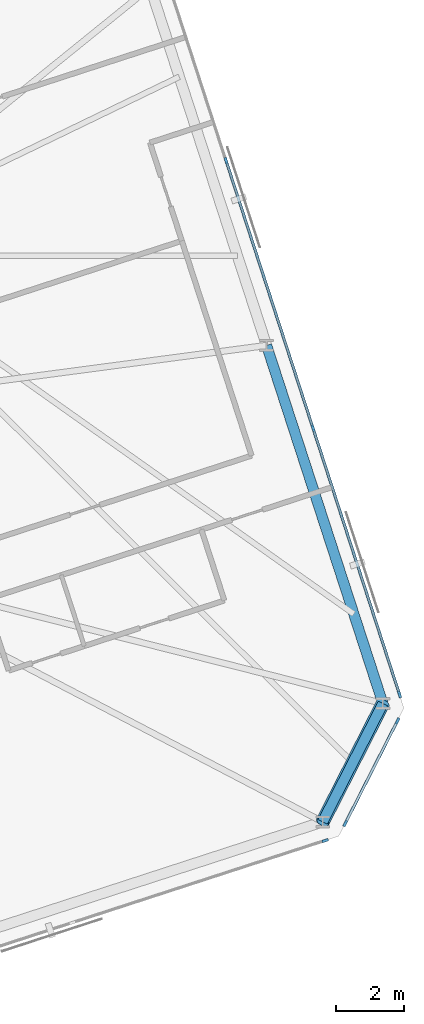
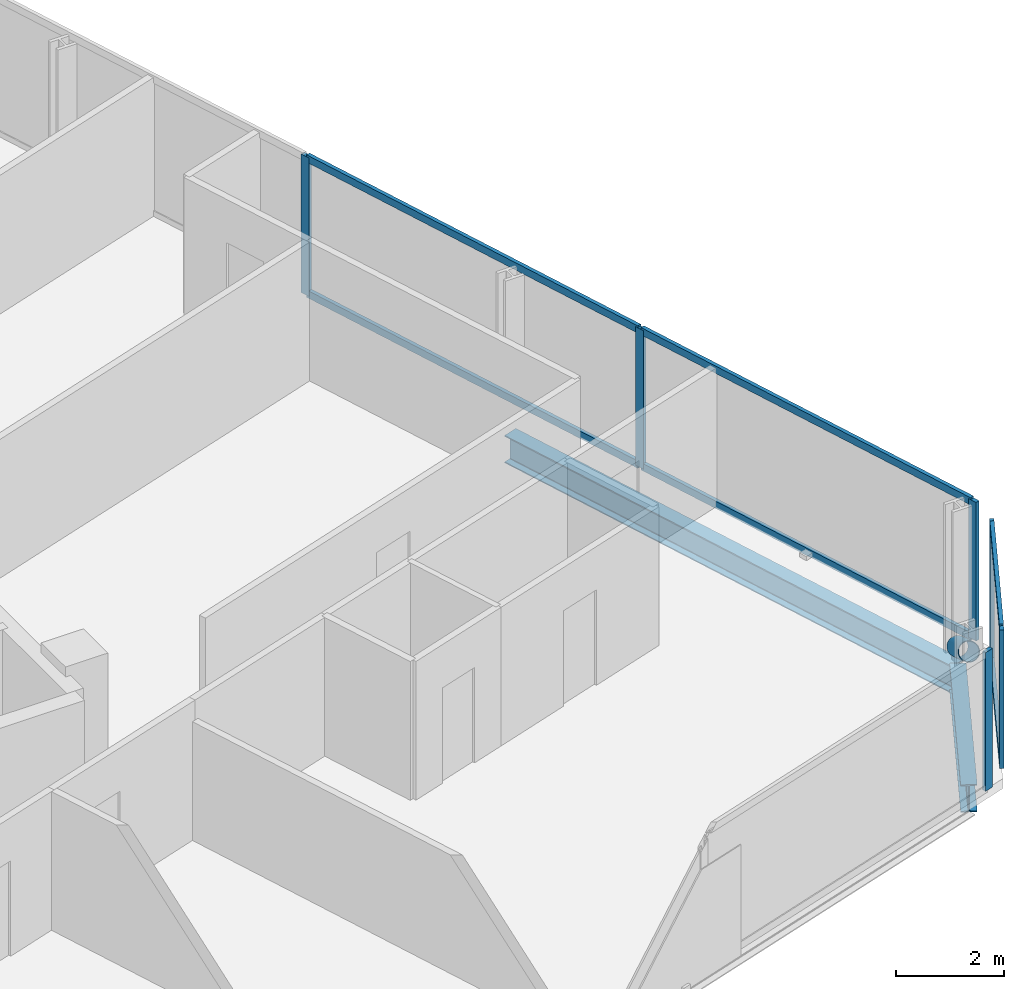
# One storey, part 11 of 19: 13 members, 2 beams, 3 elements without a shape of their own.
"""IFC4 building model written with IfcOpenShell, lengths in metres."""

from ifc_helpers import new_model, si_unit, direction, frame, origin, origin_2d, place, context, subcontext, project, spatial, rectangle, hollow_circle, i_section, extrude, material, material_profile, profile_set, type_object, element, aggregate, save


model = new_model("IFC4")

# Units and contexts
model_context = context("Model", 3, precision=1e-05, world=origin(), true_north=direction((0.0, 1.0)))
body_context = subcontext(model_context, "Body", "Model", "MODEL_VIEW")
ifc_project = project(units=[si_unit("LENGTHUNIT", "METRE"), si_unit("AREAUNIT", "SQUARE_METRE"), si_unit("VOLUMEUNIT", "CUBIC_METRE"), si_unit("PLANEANGLEUNIT", "RADIAN"), si_unit("MASSUNIT", "GRAM", prefix="KILO")], contexts=[model_context])

# Site, building, storey
site_placement = place(None, origin())
site = spatial("IfcSite", under=ifc_project, at=site_placement, CompositionType="ELEMENT")
building_placement = place(site_placement, origin())
building = spatial("IfcBuilding", under=site, at=building_placement, Name="Menara Jurai Vektor", CompositionType="ELEMENT")
storey_placement = place(building_placement, frame((0.0, 0.0, 214.25)))
storey = spatial("IfcBuildingStorey", under=building, at=storey_placement, Name="L56", CompositionType="ELEMENT", Elevation=214.25)

# Curtain wall, member
ifc_material_1 = material(Name="Anodised Pale Aluminium & Low-E Double Glazing", Category="aluminium")
curtain_wall_type = type_object("IfcCurtainWallType", Name="CW-BLK4", PredefinedType="NOTDEFINED", material=ifc_material_1)
curtain_wall_1_placement = place(storey_placement, origin())
curtain_wall_1 = element("IfcCurtainWall", 1, at=curtain_wall_1_placement, inside=storey, type_object=curtain_wall_type, Name="Unitised Curtain Wall L56 F01", PredefinedType="NOTDEFINED")
ifc_material_2 = material(Name="Anodised Pale Aluminium Mullion", Category="aluminium")
ifc_material_profile_1 = material_profile(ifc_material_2, rectangle(XDim=0.080078125, YDim=0.18994140625, at=origin_2d()), Name="ALU MUL 80x190")
ifc_profile_set_1 = profile_set([ifc_material_profile_1], Name="Anodised Pale Aluminium Mullion")
member_type_1 = type_object("IfcMemberType", Name="CW-BLK4-MUL", PredefinedType="MULLION", material=ifc_profile_set_1)
member_1_placement = place(storey_placement, frame((29.810546875, -12.698486328125, 0.0), z_axis=(0.0, 0.0, 1.0), x_axis=(-0.309017344167, 0.951056402641, 0.0)))
member_1 = element("IfcMember", 2, at=member_1_placement, type_object=member_type_1, Name="CW-04 mullion 8", PredefinedType="MULLION", context=body_context, shape_type="SweptSolid", body=[
    extrude(rectangle(XDim=0.080078125, YDim=0.18994140625, at=origin_2d()), origin(), (0.0, 0.0, 1.0), 3.125),
])
aggregate(curtain_wall_1, [member_1])

# Curtain wall, members
curtain_wall_2_placement = place(storey_placement, origin())
curtain_wall_2 = element("IfcCurtainWall", 3, at=curtain_wall_2_placement, inside=storey, type_object=curtain_wall_type, Name="Unitised Curtain Wall L56 F02", PredefinedType="NOTDEFINED")
member_2_placement = place(storey_placement, frame((30.400634765625, -12.194580078125, 0.0), z_axis=(0.0, 0.0, 1.0), x_axis=(-0.89100750243, 0.453988579828, 0.0)))
member_2 = element("IfcMember", 4, at=member_2_placement, type_object=member_type_1, Name="CW-04 mullion 1", PredefinedType="MULLION", context=body_context, shape_type="SweptSolid", body=[
    extrude(rectangle(XDim=0.080078125, YDim=0.18994140625, at=origin_2d()), origin(), (0.0, 0.0, 1.0), 3.125),
])
member_3_placement = place(storey_placement, frame((31.9453125, -9.16259765625, 0.0), z_axis=(0.0, 0.0, 1.0), x_axis=(-0.89100750243, 0.453988579828, 0.0)))
member_3 = element("IfcMember", 5, at=member_3_placement, type_object=member_type_1, Name="CW-04 mullion 2", PredefinedType="MULLION", context=body_context, shape_type="SweptSolid", body=[
    extrude(rectangle(XDim=0.080078125, YDim=0.18994140625, at=origin_2d()), origin(), (0.0, 0.0, 1.0), 3.125),
])

curtain_wall_3_placement = place(storey_placement, origin())
curtain_wall_3 = element("IfcCurtainWall", 6, at=curtain_wall_3_placement, inside=storey, type_object=curtain_wall_type, Name="Unitised Curtain Wall L56 F03", PredefinedType="NOTDEFINED")
member_4_placement = place(storey_placement, frame((32.00634765625, -8.388916015625, 0.0), z_axis=(0.0, 0.0, 1.0), x_axis=(-0.95105668295, -0.309016481464, 0.0)))
member_4 = element("IfcMember", 7, at=member_4_placement, type_object=member_type_1, Name="CW-04 mullion 1", PredefinedType="MULLION", context=body_context, shape_type="SweptSolid", body=[
    extrude(rectangle(XDim=0.080078125, YDim=0.18994140625, at=origin_2d()), origin(), (0.0, 0.0, 1.0), 3.125),
])
member_5_placement = place(storey_placement, frame((29.45068359375, -0.523681640625, 0.0), z_axis=(0.0, 0.0, 1.0), x_axis=(-0.95105668295, -0.309016481464, 0.0)))
member_5 = element("IfcMember", 8, at=member_5_placement, type_object=member_type_1, Name="CW-04 mullion 2", PredefinedType="MULLION", context=body_context, shape_type="SweptSolid", body=[
    extrude(rectangle(XDim=0.080078125, YDim=0.18994140625, at=origin_2d()), origin(), (0.0, 0.0, 1.0), 3.125),
])
member_6_placement = place(storey_placement, frame((26.8828125, 7.379638671875, 0.0), z_axis=(0.0, 0.0, 1.0), x_axis=(-0.95105668295, -0.309016481464, 0.0)))
member_6 = element("IfcMember", 9, at=member_6_placement, type_object=member_type_1, Name="CW-04 mullion 3", PredefinedType="MULLION", context=body_context, shape_type="SweptSolid", body=[
    extrude(rectangle(XDim=0.080078125, YDim=0.18994140625, at=origin_2d()), origin(), (0.0, 0.0, 1.0), 3.125),
])

# Member
ifc_material_3 = material(Name="Anodised Pale Aluminium Transom", Category="aluminium")
ifc_material_profile_2 = material_profile(ifc_material_3, rectangle(XDim=0.080078125, YDim=0.1650390625, at=origin_2d()), Name="ALU TRN 80x165")
ifc_profile_set_2 = profile_set([ifc_material_profile_2], Name="Anodised Pale Aluminium Transom")
member_type_2 = type_object("IfcMemberType", Name="CW-BLK4-TRN", PredefinedType="USERDEFINED", material=ifc_profile_set_2)
member_7_placement = place(storey_placement, frame((30.418701171875, -12.158935546875, 0.0400390625), z_axis=(0.453989617444, 0.89100697374, 0.0), x_axis=(-0.89100697374, 0.453989617444, 0.0)))
member_7 = element("IfcMember", 10, at=member_7_placement, type_object=member_type_2, Name="CW-04 transom 1.1", ObjectType="TRANSOM", PredefinedType="USERDEFINED", context=body_context, shape_type="SweptSolid", body=[
    extrude(rectangle(XDim=0.080078125, YDim=0.1650390625, at=origin_2d()), origin(), (0.0, 0.0, 1.0), 3.32275390625),
])

member_8_placement = place(storey_placement, frame((30.418701171875, -12.158935546875, 3.0849609375), z_axis=(0.453989617444, 0.89100697374, 0.0), x_axis=(-0.89100697374, 0.453989617444, 0.0)))
member_8 = element("IfcMember", 11, at=member_8_placement, type_object=member_type_2, Name="CW-04 transom 1.2", ObjectType="TRANSOM", PredefinedType="USERDEFINED", context=body_context, shape_type="SweptSolid", body=[
    extrude(rectangle(XDim=0.080078125, YDim=0.1650390625, at=origin_2d()), origin(), (0.0, 0.0, 1.0), 3.32275390625),
])

aggregate(curtain_wall_2, [member_2, member_3, member_7, member_8])

member_9_placement = place(storey_placement, frame((31.993896484375, -8.350830078125, 0.0400390625), z_axis=(-0.309010577384, 0.951058601278, 0.0), x_axis=(-0.951058601278, -0.309010577384, 0.0)))
member_9 = element("IfcMember", 12, at=member_9_placement, type_object=member_type_2, Name="CW-04 transom 1.1", ObjectType="TRANSOM", PredefinedType="USERDEFINED", context=body_context, shape_type="SweptSolid", body=[
    extrude(rectangle(XDim=0.080078125, YDim=0.1650390625, at=origin_2d()), origin(), (0.0, 0.0, 1.0), 8.18994140625),
])

member_10_placement = place(storey_placement, frame((31.993896484375, -8.350830078125, 3.0849609375), z_axis=(-0.309010577384, 0.951058601278, 0.0), x_axis=(-0.951058601278, -0.309010577384, 0.0)))
member_10 = element("IfcMember", 13, at=member_10_placement, type_object=member_type_2, Name="CW-04 transom 1.2", ObjectType="TRANSOM", PredefinedType="USERDEFINED", context=body_context, shape_type="SweptSolid", body=[
    extrude(rectangle(XDim=0.080078125, YDim=0.1650390625, at=origin_2d()), origin(), (0.0, 0.0, 1.0), 8.18994140625),
])

member_11_placement = place(storey_placement, frame((29.438232421875, -0.485595703125, 0.0400390625), z_axis=(-0.309018994408, 0.951055866443, 0.0), x_axis=(-0.951055866443, -0.309018994408, 0.0)))
member_11 = element("IfcMember", 14, at=member_11_placement, type_object=member_type_2, Name="CW-04 transom 2.1", ObjectType="TRANSOM", PredefinedType="USERDEFINED", context=body_context, shape_type="SweptSolid", body=[
    extrude(rectangle(XDim=0.080078125, YDim=0.1650390625, at=origin_2d()), origin(), (0.0, 0.0, 1.0), 8.22998046875),
])

member_12_placement = place(storey_placement, frame((29.438232421875, -0.485595703125, 3.0849609375), z_axis=(-0.309018994408, 0.951055866443, 0.0), x_axis=(-0.951055866443, -0.309018994408, 0.0)))
member_12 = element("IfcMember", 15, at=member_12_placement, type_object=member_type_2, Name="CW-04 transom 2.2", ObjectType="TRANSOM", PredefinedType="USERDEFINED", context=body_context, shape_type="SweptSolid", body=[
    extrude(rectangle(XDim=0.080078125, YDim=0.1650390625, at=origin_2d()), origin(), (0.0, 0.0, 1.0), 8.22998046875),
])

aggregate(curtain_wall_3, [member_4, member_5, member_6, member_9, member_10, member_11, member_12])

ifc_material_4 = material(Name="Steel S460", Category="steel")
ifc_material_profile_3 = material_profile(ifc_material_4, hollow_circle(Radius=0.203125, WallThickness=0.01611328125, at=origin_2d()), Name="CHS 406.4x16")
ifc_profile_set_3 = profile_set([ifc_material_profile_3], Name="Steel S460")
member_type_3 = type_object("IfcMemberType", Name="STR-BR-406", PredefinedType="BRACE", material=ifc_profile_set_3)
member_13_placement = place(storey_placement, frame((31.513427734375, -8.652099609375, 0.14990234375), z_axis=(-0.377239531316, -0.740351985533, 0.55638949804), x_axis=(0.891000997215, -0.454001346872, 0.0)))
element("IfcMember", 16, at=member_13_placement, inside=storey, type_object=member_type_3, Name="Exoskeleton Corner Brace L56-1", PredefinedType="BRACE", context=body_context, shape_type="SweptSolid", body=[
    extrude(hollow_circle(Radius=0.203125, WallThickness=0.01611328125, at=origin_2d()), origin(), (0.0, 0.0, 1.0), 4.718017578125),
])

# Beams
ifc_material_5 = material(Name="Steel S355", Category="steel")
ifc_material_profile_4 = material_profile(ifc_material_5, i_section(OverallWidth=0.306884765625, OverallDepth=0.6201171875, WebThickness=0.013916015625, FlangeThickness=0.02392578125, FilletRadius=0.01708984375, at=origin_2d()), Name="UKB 610x305x179")
ifc_profile_set_4 = profile_set([ifc_material_profile_4], Name="Steel S355")
beam_type = type_object("IfcBeamType", Name="STR-SP-610", PredefinedType="SPANDREL", material=ifc_profile_set_4)
beam_1_placement = place(storey_placement, frame((29.7333984375, -12.14501953125, -0.534912109375), z_axis=(0.454050785633, 0.890975804423, 0.0), x_axis=(-0.890975804423, 0.454050785633, 0.0)))
element("IfcBeam", 17, at=beam_1_placement, inside=storey, type_object=beam_type, Name="Exoskeleton Spandrel Beam L56-06", PredefinedType="SPANDREL", context=body_context, shape_type="SweptSolid", body=[
    extrude(i_section(OverallWidth=0.306884765625, OverallDepth=0.6201171875, WebThickness=0.013916015625, FlangeThickness=0.02392578125, FilletRadius=0.01708984375, at=origin_2d()), origin(), (0.0, 0.0, 1.0), 3.92041015625),
])
beam_2_placement = place(storey_placement, frame((31.513427734375, -8.652099609375, -0.534912109375), z_axis=(-0.309012092614, 0.95105810896, 0.0), x_axis=(-0.95105810896, -0.309012092614, 0.0)))
element("IfcBeam", 18, at=beam_2_placement, inside=storey, type_object=beam_type, Name="Exoskeleton Spandrel Beam L56-07", PredefinedType="SPANDREL", context=body_context, shape_type="SweptSolid", body=[
    extrude(i_section(OverallWidth=0.306884765625, OverallDepth=0.6201171875, WebThickness=0.013916015625, FlangeThickness=0.02392578125, FilletRadius=0.01708984375, at=origin_2d()), origin(), (0.0, 0.0, 1.0), 11.11865234375),
])

save(model, "model.ifc")
